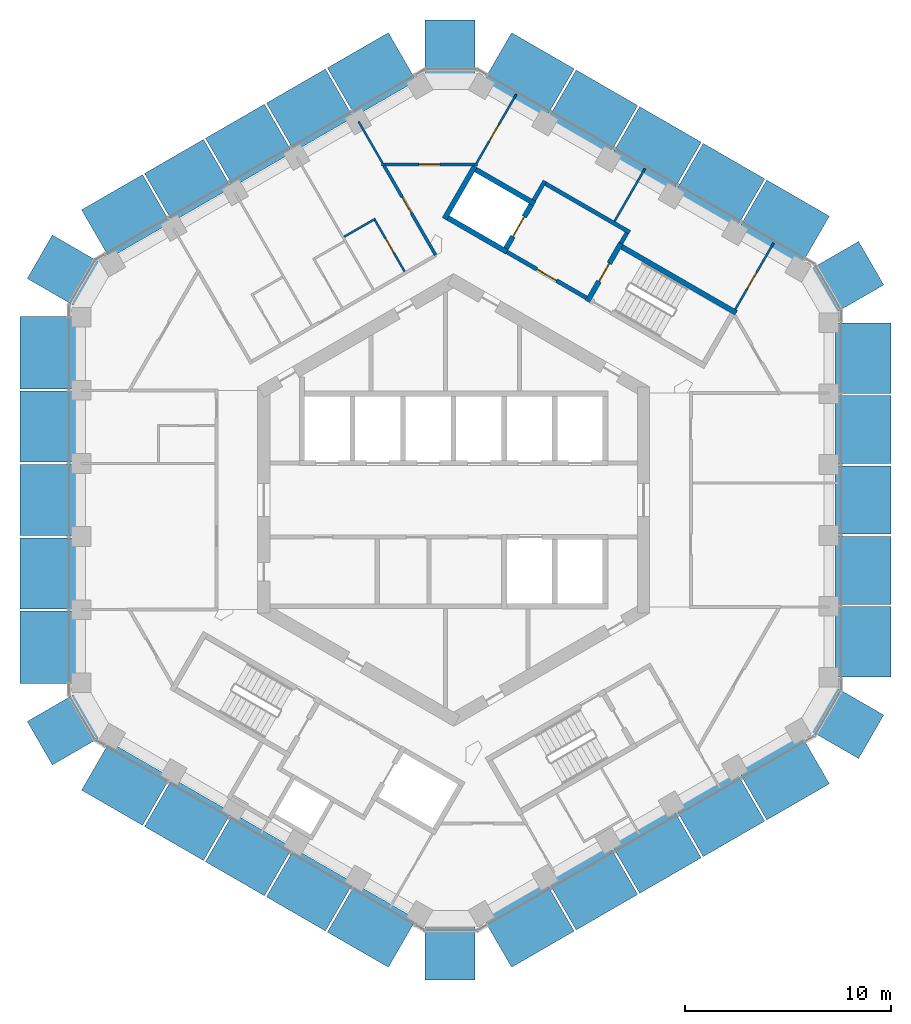
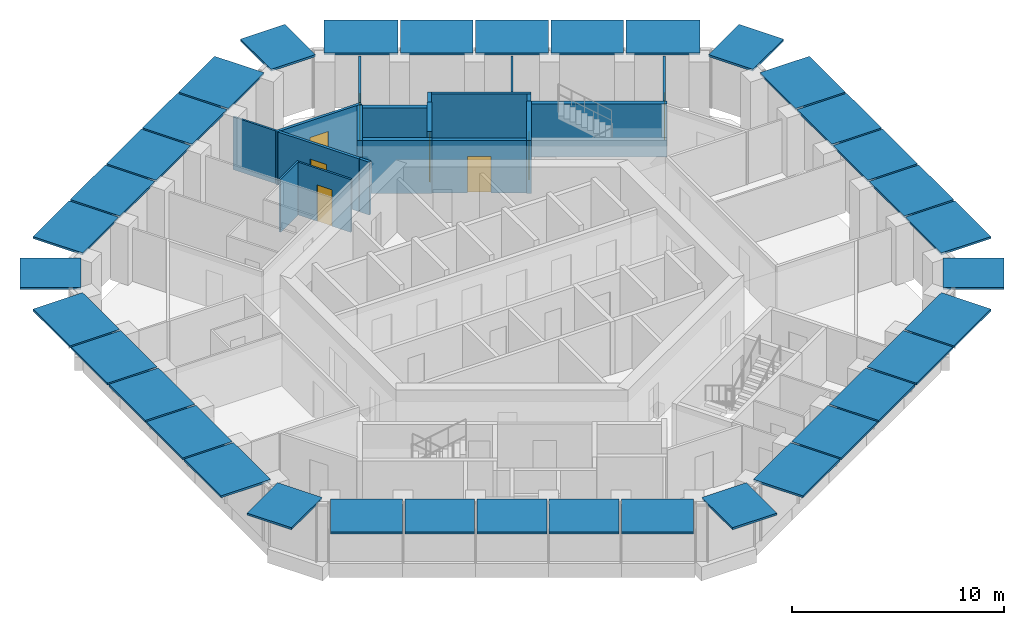
# One storey, part 16 of 18: 36 discrete accessories, 19 walls, 8 doors, 8 openings.
"""IFC4 building model written with IfcOpenShell, lengths in metres."""

from ifc_helpers import new_model, si_unit, direction, frame, frame_2d, origin, origin_2d, place, context, subcontext, project, spatial, rectangle, extrude, material, layer, layer_set, type_object, element, fill, save


model = new_model("IFC4")

# Units and contexts
model_context = context("Model", 3, precision=1e-05, world=origin(), true_north=direction((0.0, 1.0)))
body_context = subcontext(model_context, "Body", "Model", "MODEL_VIEW")
ifc_project = project(units=[si_unit("LENGTHUNIT", "METRE"), si_unit("AREAUNIT", "SQUARE_METRE"), si_unit("VOLUMEUNIT", "CUBIC_METRE"), si_unit("PLANEANGLEUNIT", "RADIAN"), si_unit("MASSUNIT", "GRAM", prefix="KILO")], contexts=[model_context])

# Site, building, storey
site_placement = place(None, origin())
site = spatial("IfcSite", under=ifc_project, at=site_placement, CompositionType="ELEMENT")
building_placement = place(site_placement, origin())
building = spatial("IfcBuilding", under=site, at=building_placement, Name="Ayvan Gate Tower", CompositionType="ELEMENT")
storey_placement = place(building_placement, frame((0.0, 0.0, 159.5)))
storey = spatial("IfcBuildingStorey", under=building, at=storey_placement, Name="L42", CompositionType="ELEMENT", Elevation=159.5)

# Wall, opening, door
ifc_material_1 = material(Name="Plasterboard on steel stud", Category="steel")
ifc_layer_1 = layer(ifc_material_1, 0.14990234375)
ifc_layer_set_1 = layer_set([ifc_layer_1], Name="Plasterboard on steel stud")
wall_type_1 = type_object("IfcWallType", Name="WT-CORR-150", PredefinedType="PARTITIONING", material=ifc_layer_set_1)
wall_1_placement = place(storey_placement, frame((-3.4873046875, 16.267333984375, 0.0), z_axis=(0.0, 0.0, 1.0), x_axis=(1.0, 0.0, 0.0)))
wall_1 = element("IfcWall", 1, at=wall_1_placement, inside=storey, type_object=wall_type_1, Name="IW-L42-045", PredefinedType="PARTITIONING", context=body_context, shape_type="SweptSolid", body=[
    extrude(rectangle(XDim=4.640380859375, YDim=0.14990234375, at=frame_2d((2.3203125, 0.0))), origin(), (0.0, 0.0, 1.0), 3.050048828125),
])
opening_1_placement = place(wall_1_placement, frame((1.8203125, 0.0, 0.0)))
opening_1 = element("IfcOpeningElement", 2, at=opening_1_placement, cuts=wall_1, Name="Opening L42-D26", PredefinedType="OPENING", context=body_context, shape_type="SweptSolid", body=[
    extrude(rectangle(XDim=1.0, YDim=2.10009765625, at=frame_2d((0.5, 1.050048828125))), frame((0.0, 0.0849609375, 0.0), z_axis=(0.0, -1.0, 0.0), x_axis=(1.0, 0.0, 0.0)), (0.0, 0.0, 1.0), 0.169921875),
])
ifc_material_2 = material(Name="Timber door leaf", Category="wood")
door_type_1 = type_object("IfcDoorType", Name="DT-1000", OperationType="NOTDEFINED", PredefinedType="DOOR", material=ifc_material_2)
door_1_placement = place(opening_1_placement, origin())
door_1 = element("IfcDoor", 3, at=door_1_placement, inside=storey, type_object=door_type_1, Name="ID-L42-026", OperationType="SINGLE_SWING_RIGHT", OverallHeight=2.10009765625, OverallWidth=1.0, PredefinedType="DOOR", context=body_context, shape_type="SweptSolid", body=[
    extrude(rectangle(XDim=1.0, YDim=2.10009765625, at=frame_2d((0.5, 1.050048828125))), frame((0.0, 0.02490234375, 0.0), z_axis=(0.0, -1.0, 0.0), x_axis=(1.0, 0.0, 0.0)), (0.0, 0.0, 1.0), 0.050048828125),
])
fill(opening_1, door_1)

wall_2_placement = place(storey_placement, frame((-1.1669921875, 12.37841796875, 0.0), z_axis=(0.0, 0.0, 1.0), x_axis=(-0.499998454624, 0.866026296006, 0.0)))
wall_2 = element("IfcWall", 4, at=wall_2_placement, inside=storey, type_object=wall_type_1, Name="IW-L42-052", PredefinedType="PARTITIONING", context=body_context, shape_type="SweptSolid", body=[
    extrude(rectangle(XDim=4.41552734375, YDim=0.14990234375, at=frame_2d((2.207763671875, 0.0))), origin(), (0.0, 0.0, 1.0), 3.050048828125),
])
opening_2_placement = place(wall_2_placement, frame((1.7578125, 0.0, 0.0)))
opening_2 = element("IfcOpeningElement", 5, at=opening_2_placement, cuts=wall_2, Name="Opening L42-D39", PredefinedType="OPENING", context=body_context, shape_type="SweptSolid", body=[
    extrude(rectangle(XDim=0.89990234375, YDim=2.10009765625, at=frame_2d((0.449951171875, 1.050048828125))), frame((0.0, 0.0849609375, 0.0), z_axis=(0.0, -1.0, 0.0), x_axis=(1.0, 0.0, 0.0)), (0.0, 0.0, 1.0), 0.169921875),
])
door_type_2 = type_object("IfcDoorType", Name="DT-900", OperationType="NOTDEFINED", PredefinedType="DOOR", material=ifc_material_2)
door_2_placement = place(opening_2_placement, origin())
door_2 = element("IfcDoor", 6, at=door_2_placement, inside=storey, type_object=door_type_2, Name="ID-L42-039", OperationType="SINGLE_SWING_LEFT", OverallHeight=2.10009765625, OverallWidth=0.89990234375, PredefinedType="DOOR", context=body_context, shape_type="SweptSolid", body=[
    extrude(rectangle(XDim=0.89990234375, YDim=2.10009765625, at=frame_2d((0.449951171875, 1.050048828125))), frame((0.0, 0.02490234375, 0.0), z_axis=(0.0, -1.0, 0.0), x_axis=(1.0, 0.0, 0.0)), (0.0, 0.0, 1.0), 0.050048828125),
])
fill(opening_2, door_2)

# Walls
wall_3_placement = place(storey_placement, frame((-1.156982421875, 12.361083984375, 0.0), z_axis=(0.0, 0.0, 1.0), x_axis=(0.499959971872, -0.866048512801, 0.0)))
element("IfcWall", 7, at=wall_3_placement, inside=storey, type_object=wall_type_1, Name="IW-L42-053", PredefinedType="PARTITIONING", context=body_context, shape_type="SweptSolid", body=[
    extrude(rectangle(XDim=0.5634765625, YDim=0.14990234375, at=frame_2d((0.28173828125, 0.0))), origin(), (0.0, 0.0, 1.0), 3.050048828125),
])
ifc_layer_2 = layer(ifc_material_1, 0.10009765625)
ifc_layer_set_2 = layer_set([ifc_layer_2], Name="Plasterboard on steel stud")
wall_type_2 = type_object("IfcWallType", Name="WT-PART-100", PredefinedType="PARTITIONING", material=ifc_layer_set_2)
wall_4_placement = place(storey_placement, frame((-3.794189453125, 13.62890625, 0.0), z_axis=(0.0, 0.0, 1.0), x_axis=(-0.866013897511, -0.50001992892, 0.0)))
element("IfcWall", 8, at=wall_4_placement, inside=storey, type_object=wall_type_2, Name="IW-L42-040", PredefinedType="PARTITIONING", context=body_context, shape_type="SweptSolid", body=[
    extrude(rectangle(XDim=1.75244140625, YDim=0.10009765625, at=frame_2d((0.876220703125, 0.0))), origin(), (0.0, 0.0, 1.0), 3.050048828125),
])
wall_5_placement = place(storey_placement, frame((-3.44970703125, 16.332275390625, 0.0), z_axis=(0.0, 0.0, 1.0), x_axis=(-0.499968667644, 0.866043492773, 0.0)))
element("IfcWall", 9, at=wall_5_placement, inside=storey, type_object=wall_type_2, Name="IW-L42-044", PredefinedType="PARTITIONING", context=body_context, shape_type="SweptSolid", body=[
    extrude(rectangle(XDim=2.317626953125, YDim=0.10009765625, at=frame_2d((1.15869140625, 0.0))), origin(), (0.0, 0.0, 1.0), 3.050048828125),
])

# Wall, opening, door
wall_6_placement = place(storey_placement, frame((-2.375, 11.07080078125, 0.0), z_axis=(0.0, 0.0, 1.0), x_axis=(-0.500011588718, 0.866018712932, 0.0)))
wall_6 = element("IfcWall", 10, at=wall_6_placement, inside=storey, type_object=wall_type_2, Name="IW-L42-050", PredefinedType="PARTITIONING", context=body_context, shape_type="SweptSolid", body=[
    extrude(rectangle(XDim=2.875, YDim=0.10009765625, at=frame_2d((1.4375, 0.0))), origin(), (0.0, 0.0, 1.0), 3.050048828125),
])
opening_3_placement = place(wall_6_placement, frame((1.03759765625, 0.0, 0.0)))
opening_3 = element("IfcOpeningElement", 11, at=opening_3_placement, cuts=wall_6, Name="Opening L42-D40", PredefinedType="OPENING", context=body_context, shape_type="SweptSolid", body=[
    extrude(rectangle(XDim=0.800048828125, YDim=2.10009765625, at=frame_2d((0.39990234375, 1.050048828125))), frame((0.0, 0.06005859375, 0.0), z_axis=(0.0, -1.0, 0.0), x_axis=(1.0, 0.0, 0.0)), (0.0, 0.0, 1.0), 0.1201171875),
])
door_type_3 = type_object("IfcDoorType", Name="DT-800", OperationType="NOTDEFINED", PredefinedType="DOOR", material=ifc_material_2)
door_3_placement = place(opening_3_placement, origin())
door_3 = element("IfcDoor", 12, at=door_3_placement, inside=storey, type_object=door_type_3, Name="ID-L42-040", OperationType="SINGLE_SWING_RIGHT", OverallHeight=2.10009765625, OverallWidth=0.800048828125, PredefinedType="DOOR", context=body_context, shape_type="SweptSolid", body=[
    extrude(rectangle(XDim=0.800048828125, YDim=2.10009765625, at=frame_2d((0.39990234375, 1.050048828125))), frame((0.0, 0.02490234375, 0.0), z_axis=(0.0, -1.0, 0.0), x_axis=(1.0, 0.0, 0.0)), (0.0, 0.0, 1.0), 0.050048828125),
])
fill(opening_3, door_3)

wall_7_placement = place(storey_placement, frame((3.033935546875, 19.655029296875, 0.0), z_axis=(0.0, 0.0, 1.0), x_axis=(-0.500012543355, -0.866018161754, 0.0)))
wall_7 = element("IfcWall", 13, at=wall_7_placement, inside=storey, type_object=wall_type_2, Name="IW-L42-067", PredefinedType="PARTITIONING", context=body_context, shape_type="SweptSolid", body=[
    extrude(rectangle(XDim=3.8369140625, YDim=0.10009765625, at=frame_2d((1.91845703125, 0.0))), origin(), (0.0, 0.0, 1.0), 3.050048828125),
])
opening_4_placement = place(wall_7_placement, frame((1.703857421875, 0.0, 0.0)))
opening_4 = element("IfcOpeningElement", 14, at=opening_4_placement, cuts=wall_7, Name="Opening L42-D27", PredefinedType="OPENING", context=body_context, shape_type="SweptSolid", body=[
    extrude(rectangle(XDim=0.89990234375, YDim=2.10009765625, at=frame_2d((0.449951171875, 1.050048828125))), frame((0.0, 0.06005859375, 0.0), z_axis=(0.0, -1.0, 0.0), x_axis=(1.0, 0.0, 0.0)), (0.0, 0.0, 1.0), 0.1201171875),
])
door_4_placement = place(opening_4_placement, origin())
door_4 = element("IfcDoor", 15, at=door_4_placement, inside=storey, type_object=door_type_2, Name="ID-L42-027", OperationType="SINGLE_SWING_LEFT", OverallHeight=2.10009765625, OverallWidth=0.89990234375, PredefinedType="DOOR", context=body_context, shape_type="SweptSolid", body=[
    extrude(rectangle(XDim=0.89990234375, YDim=2.10009765625, at=frame_2d((0.449951171875, 1.050048828125))), frame((0.0, 0.02490234375, 0.0), z_axis=(0.0, -1.0, 0.0), x_axis=(1.0, 0.0, 0.0)), (0.0, 0.0, 1.0), 0.050048828125),
])
fill(opening_4, door_4)

# Wall
wall_8_placement = place(storey_placement, frame((7.800048828125, 13.510009765625, 0.0), z_axis=(0.0, 0.0, 1.0), x_axis=(0.499945384066, 0.866056934013, 0.0)))
element("IfcWall", 16, at=wall_8_placement, inside=storey, type_object=wall_type_2, Name="IW-L42-091", PredefinedType="PARTITIONING", context=body_context, shape_type="SweptSolid", body=[
    extrude(rectangle(XDim=2.938720703125, YDim=0.10009765625, at=frame_2d((1.46923828125, 0.0))), origin(), (0.0, 0.0, 1.0), 3.050048828125),
])

# Wall, opening, door
wall_9_placement = place(storey_placement, frame((13.647705078125, 9.23876953125, 0.0), z_axis=(0.0, 0.0, 1.0), x_axis=(0.500048687089, 0.865997292456, 0.0)))
wall_9 = element("IfcWall", 17, at=wall_9_placement, inside=storey, type_object=wall_type_2, Name="IW-L42-105", PredefinedType="PARTITIONING", context=body_context, shape_type="SweptSolid", body=[
    extrude(rectangle(XDim=3.714111328125, YDim=0.10009765625, at=frame_2d((1.85693359375, 0.0))), origin(), (0.0, 0.0, 1.0), 3.050048828125),
])
opening_5_placement = place(wall_9_placement, frame((1.17138671875, 0.0, 0.0)))
opening_5 = element("IfcOpeningElement", 18, at=opening_5_placement, cuts=wall_9, Name="Opening L42-D25", PredefinedType="OPENING", context=body_context, shape_type="SweptSolid", body=[
    extrude(rectangle(XDim=0.89990234375, YDim=2.10009765625, at=frame_2d((0.449951171875, 1.050048828125))), frame((0.0, 0.06005859375, 0.0), z_axis=(0.0, -1.0, 0.0), x_axis=(1.0, 0.0, 0.0)), (0.0, 0.0, 1.0), 0.1201171875),
])
door_5_placement = place(opening_5_placement, origin())
door_5 = element("IfcDoor", 19, at=door_5_placement, inside=storey, type_object=door_type_2, Name="ID-L42-025", OperationType="SINGLE_SWING_LEFT", OverallHeight=2.10009765625, OverallWidth=0.89990234375, PredefinedType="DOOR", context=body_context, shape_type="SweptSolid", body=[
    extrude(rectangle(XDim=0.89990234375, YDim=2.10009765625, at=frame_2d((0.449951171875, 1.050048828125))), frame((0.0, 0.02490234375, 0.0), z_axis=(0.0, -1.0, 0.0), x_axis=(1.0, 0.0, 0.0)), (0.0, 0.0, 1.0), 0.050048828125),
])
fill(opening_5, door_5)

# Walls
ifc_layer_3 = layer(ifc_material_1, 0.199951171875)
ifc_layer_set_3 = layer_set([ifc_layer_3], Name="Plasterboard on steel stud")
wall_type_3 = type_object("IfcWallType", Name="WT-RATED-200", PredefinedType="PARTITIONING", material=ifc_layer_set_3)
wall_10_placement = place(storey_placement, frame((3.885009765625, 14.52880859375, 0.0), z_axis=(0.0, 0.0, 1.0), x_axis=(0.499997628298, 0.866026773083, 0.0)))
element("IfcWall", 20, at=wall_10_placement, inside=storey, type_object=wall_type_3, Name="IW-L42-075", PredefinedType="PARTITIONING", context=body_context, shape_type="SweptSolid", body=[
    extrude(rectangle(XDim=1.0751953125, YDim=0.199951171875, at=frame_2d((0.53759765625, 0.0))), origin(), (0.0, 0.0, 1.0), 3.050048828125),
])
wall_11_placement = place(storey_placement, frame((4.458984375, 15.323486328125, 0.0), z_axis=(0.0, 0.0, 1.0), x_axis=(0.866016039709, -0.500016218704, 0.0)))
element("IfcWall", 21, at=wall_11_placement, inside=storey, type_object=wall_type_3, Name="IW-L42-076", PredefinedType="PARTITIONING", context=body_context, shape_type="SweptSolid", body=[
    extrude(rectangle(XDim=4.699951171875, YDim=0.199951171875, at=frame_2d((2.35009765625, 0.0))), origin(), (0.0, 0.0, 1.0), 3.050048828125),
])

# Wall, opening, door
wall_12_placement = place(storey_placement, frame((6.4345703125, 9.794921875, 0.0), z_axis=(0.0, 0.0, 1.0), x_axis=(-0.866012907634, 0.500021643343, 0.0)))
wall_12 = element("IfcWall", 22, at=wall_12_placement, inside=storey, type_object=wall_type_3, Name="IW-L42-083", PredefinedType="PARTITIONING", context=body_context, shape_type="SweptSolid", body=[
    extrude(rectangle(XDim=4.449951171875, YDim=0.199951171875, at=frame_2d((2.22509765625, 0.0))), origin(), (0.0, 0.0, 1.0), 3.050048828125),
])
opening_6_placement = place(wall_12_placement, frame((1.675048828125, 0.0, 0.0)))
opening_6 = element("IfcOpeningElement", 23, at=opening_6_placement, cuts=wall_12, Name="Opening L42-D13", PredefinedType="OPENING", context=body_context, shape_type="SweptSolid", body=[
    extrude(rectangle(XDim=1.10009765625, YDim=2.10009765625, at=frame_2d((0.550048828125, 1.050048828125))), frame((0.0, 0.10986328125, 0.0), z_axis=(0.0, -1.0, 0.0), x_axis=(1.0, 0.0, 0.0)), (0.0, 0.0, 1.0), 0.219970703125),
])
door_type_4 = type_object("IfcDoorType", Name="DT-1100", OperationType="NOTDEFINED", PredefinedType="DOOR", material=ifc_material_2)
door_6_placement = place(opening_6_placement, origin())
door_6 = element("IfcDoor", 24, at=door_6_placement, inside=storey, type_object=door_type_4, Name="ID-L42-013", OperationType="SINGLE_SWING_LEFT", OverallHeight=2.10009765625, OverallWidth=1.10009765625, PredefinedType="DOOR", context=body_context, shape_type="SweptSolid", body=[
    extrude(rectangle(XDim=1.10009765625, YDim=2.10009765625, at=frame_2d((0.550048828125, 1.050048828125))), frame((0.0, 0.02490234375, 0.0), z_axis=(0.0, -1.0, 0.0), x_axis=(1.0, 0.0, 0.0)), (0.0, 0.0, 1.0), 0.050048828125),
])
fill(opening_6, door_6)

# Walls
wall_13_placement = place(storey_placement, frame((8.392822265625, 12.936767578125, 0.0), z_axis=(0.0, 0.0, 1.0), x_axis=(-0.500065409566, -0.86598763626, 0.0)))
element("IfcWall", 25, at=wall_13_placement, inside=storey, type_object=wall_type_3, Name="IW-L42-093", PredefinedType="PARTITIONING", context=body_context, shape_type="SweptSolid", body=[
    extrude(rectangle(XDim=0.5751953125, YDim=0.199951171875, at=frame_2d((0.28759765625, 0.0))), origin(), (0.0, 0.0, 1.0), 3.050048828125),
])
ifc_material_3 = material(Name="Concrete C50/60", Category="concrete")
ifc_layer_4 = layer(ifc_material_3, 0.25)
ifc_layer_set_4 = layer_set([ifc_layer_4], Name="Concrete C50/60")
wall_type_4 = type_object("IfcWallType", Name="WT-RC-250", PredefinedType="SHEAR", material=ifc_layer_set_4)
wall_14_placement = place(storey_placement, frame((-0.447998046875, 13.624267578125, 0.0), z_axis=(0.0, 0.0, 1.0), x_axis=(0.500037662692, 0.866003658127, 0.0)))
element("IfcWall", 26, at=wall_14_placement, inside=storey, type_object=wall_type_4, Name="IW-L42-058", PredefinedType="SHEAR", context=body_context, shape_type="SweptSolid", body=[
    extrude(rectangle(XDim=2.949951171875, YDim=0.25, at=frame_2d((1.47509765625, 0.0))), origin(), (0.0, 0.0, 1.0), 3.050048828125),
])
for number, where, z_axis, x_axis, name in (
    (27, (1.072998046875, 16.00830078125, 0.0), (0.0, 0.0, 1.0), (0.866040211805, -0.499974350878, 0.0), "IW-L42-060"),
    (28, (2.580810546875, 12.02001953125, 0.0), (0.0, 0.0, 1.0), (-0.866040211805, 0.499974350878, 0.0), "IW-L42-065"),
):
    element("IfcWall", number, at=place(storey_placement, frame(where, z_axis=z_axis, x_axis=x_axis)), inside=storey, type_object=wall_type_4, Name=name, PredefinedType="SHEAR", context=body_context, shape_type="SweptSolid", body=[
        extrude(rectangle(XDim=3.300048828125, YDim=0.25, at=frame_2d((1.64990234375, 0.0))), origin(), (0.0, 0.0, 1.0), 3.050048828125),
    ])

# Wall, opening, door
wall_15_placement = place(storey_placement, frame((2.534912109375, 12.19091796875, 0.0), z_axis=(0.0, 0.0, 1.0), x_axis=(0.500061746146, 0.865989751695, 0.0)))
wall_15 = element("IfcWall", 29, at=wall_15_placement, inside=storey, type_object=wall_type_4, Name="IW-L42-066", PredefinedType="SHEAR", context=body_context, shape_type="SweptSolid", body=[
    extrude(rectangle(XDim=2.449951171875, YDim=0.25, at=frame_2d((1.22509765625, 0.0))), origin(), (0.0, 0.0, 1.0), 3.39990234375),
])
opening_7_placement = place(wall_15_placement, frame((0.675048828125, 0.0, 0.0)))
opening_7 = element("IfcOpeningElement", 30, at=opening_7_placement, cuts=wall_15, Name="Opening L42-LD-FF1", PredefinedType="OPENING", context=body_context, shape_type="SweptSolid", body=[
    extrude(rectangle(XDim=1.10009765625, YDim=2.10009765625, at=frame_2d((0.550048828125, 1.050048828125))), frame((0.0, 0.135009765625, 0.0), z_axis=(0.0, -1.0, 0.0), x_axis=(1.0, 0.0, 0.0)), (0.0, 0.0, 1.0), 0.27001953125),
])
ifc_material_4 = material(Name="Stainless steel landing door", Category="steel")
door_type_5 = type_object("IfcDoorType", Name="DT-LANDING-1100", OperationType="SLIDING_TO_LEFT", PredefinedType="DOOR", material=ifc_material_4)
door_7_placement = place(opening_7_placement, origin())
door_7 = element("IfcDoor", 31, at=door_7_placement, inside=storey, type_object=door_type_5, Name="ID-L42-014", OperationType="SLIDING_TO_LEFT", OverallHeight=2.10009765625, OverallWidth=1.10009765625, PredefinedType="DOOR", context=body_context, shape_type="SweptSolid", body=[
    extrude(rectangle(XDim=1.10009765625, YDim=2.10009765625, at=frame_2d((0.550048828125, 1.050048828125))), frame((0.0, 0.02490234375, 0.0), z_axis=(0.0, -1.0, 0.0), x_axis=(1.0, 0.0, 0.0)), (0.0, 0.0, 1.0), 0.050048828125),
])
fill(opening_7, door_7)

wall_16_placement = place(storey_placement, frame((6.480224609375, 9.624267578125, 0.0), z_axis=(0.0, 0.0, 1.0), x_axis=(0.500017246033, 0.866015446554, 0.0)))
wall_16 = element("IfcWall", 32, at=wall_16_placement, inside=storey, type_object=wall_type_4, Name="IW-L42-084", PredefinedType="SHEAR", context=body_context, shape_type="SweptSolid", body=[
    extrude(rectangle(XDim=3.25, YDim=0.25, at=frame_2d((1.625, 0.0))), origin(), (0.0, 0.0, 1.0), 3.050048828125),
])
opening_8_placement = place(wall_16_placement, frame((1.125, 0.0, 0.0)))
opening_8 = element("IfcOpeningElement", 33, at=opening_8_placement, cuts=wall_16, Name="Opening L42-D12", PredefinedType="OPENING", context=body_context, shape_type="SweptSolid", body=[
    extrude(rectangle(XDim=1.0, YDim=2.10009765625, at=frame_2d((0.5, 1.050048828125))), frame((0.0, 0.135009765625, 0.0), z_axis=(0.0, -1.0, 0.0), x_axis=(1.0, 0.0, 0.0)), (0.0, 0.0, 1.0), 0.27001953125),
])
door_8_placement = place(opening_8_placement, origin())
door_8 = element("IfcDoor", 34, at=door_8_placement, inside=storey, type_object=door_type_1, Name="ID-L42-012", OperationType="SINGLE_SWING_RIGHT", OverallHeight=2.10009765625, OverallWidth=1.0, PredefinedType="DOOR", context=body_context, shape_type="SweptSolid", body=[
    extrude(rectangle(XDim=1.0, YDim=2.10009765625, at=frame_2d((0.5, 1.050048828125))), frame((0.0, 0.02490234375, 0.0), z_axis=(0.0, -1.0, 0.0), x_axis=(1.0, 0.0, 0.0)), (0.0, 0.0, 1.0), 0.050048828125),
])
fill(opening_8, door_8)

# Wall
wall_17_placement = place(storey_placement, frame((8.151123046875, 12.26806640625, 0.0), z_axis=(0.0, 0.0, 1.0), x_axis=(0.866025499775, -0.499999833739, 0.0)))
element("IfcWall", 35, at=wall_17_placement, inside=storey, type_object=wall_type_4, Name="IW-L42-092", PredefinedType="SHEAR", context=body_context, shape_type="SweptSolid", body=[
    extrude(rectangle(XDim=6.39990234375, YDim=0.25, at=frame_2d((3.199951171875, 0.0))), origin(), (0.0, 0.0, 1.0), 3.050048828125),
])

# Discrete accessories
ifc_material_5 = material(Name="Stainless steel 316", Category="steel")
ifc_layer_5 = layer(ifc_material_5, 0.1201171875)
ifc_layer_set_5 = layer_set([ifc_layer_5], Name="Stainless steel 316")
discrete_accessory_type = type_object("IfcDiscreteAccessoryType", Name="Fin carrier bracket", PredefinedType="BRACKET", material=ifc_layer_set_5)
discrete_accessory_1_placement = place(storey_placement, frame((-19.661376953125, -7.139404296875, 3.280029296875), z_axis=(0.0, 0.0, 1.0), x_axis=(0.0, -1.0, 0.0)))
element("IfcDiscreteAccessory", 36, at=discrete_accessory_1_placement, inside=storey, type_object=discrete_accessory_type, Name="Fin carrier 103", PredefinedType="BRACKET", context=body_context, shape_type="SweptSolid", body=[
    extrude(rectangle(XDim=3.50390625, YDim=2.70556640625, at=origin_2d()), origin(), (0.0, 0.0, 1.0), 0.1201171875),
])
for number, where, z_axis, x_axis, name in (
    (37, (-19.661376953125, -3.55517578125, 3.280029296875), (0.0, 0.0, 1.0), (0.0, -1.0, 0.0), "Fin carrier 105"),
    (38, (-19.661376953125, 0.0, 3.280029296875), (0.0, 0.0, 1.0), (0.0, -1.0, 0.0), "Fin carrier 109"),
    (39, (-19.661376953125, 3.554931640625, 3.280029296875), (0.0, 0.0, 1.0), (0.0, -1.0, 0.0), "Fin carrier 113"),
):
    element("IfcDiscreteAccessory", number, at=place(storey_placement, frame(where, z_axis=z_axis, x_axis=x_axis)), inside=storey, type_object=discrete_accessory_type, Name=name, PredefinedType="BRACKET", context=body_context, shape_type="SweptSolid", body=[
        extrude(rectangle(XDim=3.445068359375, YDim=2.70556640625, at=origin_2d()), origin(), (0.0, 0.0, 1.0), 0.1201171875),
    ])
discrete_accessory_2_placement = place(storey_placement, frame((-19.661376953125, 7.139404296875, 3.280029296875), z_axis=(0.0, 0.0, 1.0), x_axis=(0.0, -1.0, 0.0)))
element("IfcDiscreteAccessory", 40, at=discrete_accessory_2_placement, inside=storey, type_object=discrete_accessory_type, Name="Fin carrier 117", PredefinedType="BRACKET", context=body_context, shape_type="SweptSolid", body=[
    extrude(rectangle(XDim=3.50390625, YDim=2.70556640625, at=origin_2d()), origin(), (0.0, 0.0, 1.0), 0.1201171875),
])
for number, where, z_axis, x_axis, name in (
    (41, (-18.802978515625, -11.0615234375, 3.280029296875), (0.0, 0.0, 1.0), (0.5, -0.866025403784, 0.0), "Fin carrier 126"),
    (42, (-18.802978515625, 11.0615234375, 3.280029296875), (0.0, 0.0, 1.0), (-0.5, -0.866025403784, 0.0), "Fin carrier 129"),
):
    element("IfcDiscreteAccessory", number, at=place(storey_placement, frame(where, z_axis=z_axis, x_axis=x_axis)), inside=storey, type_object=discrete_accessory_type, Name=name, PredefinedType="BRACKET", context=body_context, shape_type="SweptSolid", body=[
        extrude(rectangle(XDim=2.4345703125, YDim=2.89111328125, at=origin_2d()), origin(), (0.0, 0.0, 1.0), 0.1201171875),
    ])
discrete_accessory_3_placement = place(storey_placement, frame((-15.875732421875, -13.74267578125, 3.280029296875), z_axis=(0.0, 0.0, 1.0), x_axis=(0.866025403784, -0.5, 0.0)))
element("IfcDiscreteAccessory", 43, at=discrete_accessory_3_placement, inside=storey, type_object=discrete_accessory_type, Name="Fin carrier 219", PredefinedType="BRACKET", context=body_context, shape_type="SweptSolid", body=[
    extrude(rectangle(XDim=3.410888671875, YDim=2.70556640625, at=origin_2d()), origin(), (0.0, 0.0, 1.0), 0.1201171875),
])
discrete_accessory_4_placement = place(storey_placement, frame((-15.875732421875, 13.74267578125, 3.280029296875), z_axis=(0.0, 0.0, 1.0), x_axis=(-0.866025403784, -0.5, 0.0)))
element("IfcDiscreteAccessory", 44, at=discrete_accessory_4_placement, inside=storey, type_object=discrete_accessory_type, Name="Fin carrier 222", PredefinedType="BRACKET", context=body_context, shape_type="SweptSolid", body=[
    extrude(rectangle(XDim=3.4111328125, YDim=2.70556640625, at=origin_2d()), origin(), (0.0, 0.0, 1.0), 0.1201171875),
])
for number, where, z_axis, x_axis, name in (
    (45, (-12.874267578125, -15.4755859375, 3.280029296875), (0.0, 0.0, 1.0), (0.866025403784, -0.5, 0.0), "Fin carrier 282"),
    (46, (-12.8740234375, 15.4755859375, 3.280029296875), (0.0, 0.0, 1.0), (-0.866025403784, -0.5, 0.0), "Fin carrier 285"),
):
    element("IfcDiscreteAccessory", number, at=place(storey_placement, frame(where, z_axis=z_axis, x_axis=x_axis)), inside=storey, type_object=discrete_accessory_type, Name=name, PredefinedType="BRACKET", context=body_context, shape_type="SweptSolid", body=[
        extrude(rectangle(XDim=3.301025390625, YDim=2.70556640625, at=origin_2d()), origin(), (0.0, 0.0, 1.0), 0.1201171875),
    ])
for number, where, z_axis, x_axis, name in (
    (47, (-9.919677734375, -17.181396484375, 3.280029296875), (0.0, 0.0, 1.0), (0.866025403784, -0.5, 0.0), "Fin carrier 347"),
    (48, (-9.919677734375, 17.181396484375, 3.280029296875), (0.0, 0.0, 1.0), (-0.866025403784, -0.5, 0.0), "Fin carrier 351"),
):
    element("IfcDiscreteAccessory", number, at=place(storey_placement, frame(where, z_axis=z_axis, x_axis=x_axis)), inside=storey, type_object=discrete_accessory_type, Name=name, PredefinedType="BRACKET", context=body_context, shape_type="SweptSolid", body=[
        extrude(rectangle(XDim=3.302001953125, YDim=2.70556640625, at=origin_2d()), origin(), (0.0, 0.0, 1.0), 0.1201171875),
    ])
for number, where, z_axis, x_axis, name in (
    (49, (-6.96533203125, -18.88720703125, 3.280029296875), (0.0, 0.0, 1.0), (0.866025403784, -0.5, 0.0), "Fin carrier 410"),
    (50, (-6.965087890625, 18.88720703125, 3.280029296875), (0.0, 0.0, 1.0), (-0.866025403784, -0.5, 0.0), "Fin carrier 415"),
):
    element("IfcDiscreteAccessory", number, at=place(storey_placement, frame(where, z_axis=z_axis, x_axis=x_axis)), inside=storey, type_object=discrete_accessory_type, Name=name, PredefinedType="BRACKET", context=body_context, shape_type="SweptSolid", body=[
        extrude(rectangle(XDim=3.301025390625, YDim=2.70556640625, at=origin_2d()), origin(), (0.0, 0.0, 1.0), 0.1201171875),
    ])
discrete_accessory_5_placement = place(storey_placement, frame((-3.963623046875, -20.6201171875, 3.280029296875), z_axis=(0.0, 0.0, 1.0), x_axis=(0.866025403784, -0.5, 0.0)))
element("IfcDiscreteAccessory", 51, at=discrete_accessory_5_placement, inside=storey, type_object=discrete_accessory_type, Name="Fin carrier 469", PredefinedType="BRACKET", context=body_context, shape_type="SweptSolid", body=[
    extrude(rectangle(XDim=3.4111328125, YDim=2.70556640625, at=origin_2d()), origin(), (0.0, 0.0, 1.0), 0.1201171875),
])
discrete_accessory_6_placement = place(storey_placement, frame((-3.963623046875, 20.6201171875, 3.280029296875), z_axis=(0.0, 0.0, 1.0), x_axis=(-0.866025403784, -0.5, 0.0)))
element("IfcDiscreteAccessory", 52, at=discrete_accessory_6_placement, inside=storey, type_object=discrete_accessory_type, Name="Fin carrier 473", PredefinedType="BRACKET", context=body_context, shape_type="SweptSolid", body=[
    extrude(rectangle(XDim=3.410888671875, YDim=2.70556640625, at=origin_2d()), origin(), (0.0, 0.0, 1.0), 0.1201171875),
])
for number, where, z_axis, x_axis, name in (
    (53, (-0.177978515625, -21.814697265625, 3.280029296875), (0.0, 0.0, 1.0), (1.0, 0.0, 0.0), "Fin carrier 530"),
    (54, (-0.177978515625, 21.814697265625, 3.280029296875), (0.0, 0.0, 1.0), (-1.0, 0.0, 0.0), "Fin carrier 536"),
):
    element("IfcDiscreteAccessory", number, at=place(storey_placement, frame(where, z_axis=z_axis, x_axis=x_axis)), inside=storey, type_object=discrete_accessory_type, Name=name, PredefinedType="BRACKET", context=body_context, shape_type="SweptSolid", body=[
        extrude(rectangle(XDim=2.4345703125, YDim=2.89111328125, at=origin_2d()), origin(), (0.0, 0.0, 1.0), 0.1201171875),
    ])
for number, where, z_axis, x_axis, name in (
    (55, (3.647705078125, -20.596923828125, 3.280029296875), (0.0, 0.0, 1.0), (0.866025403784, 0.5, 0.0), "Fin carrier 573"),
    (56, (3.647705078125, 20.596923828125, 3.280029296875), (0.0, 0.0, 1.0), (-0.866025403784, 0.5, 0.0), "Fin carrier 580"),
):
    element("IfcDiscreteAccessory", number, at=place(storey_placement, frame(where, z_axis=z_axis, x_axis=x_axis)), inside=storey, type_object=discrete_accessory_type, Name=name, PredefinedType="BRACKET", context=body_context, shape_type="SweptSolid", body=[
        extrude(rectangle(XDim=3.50390625, YDim=2.70556640625, at=origin_2d()), origin(), (0.0, 0.0, 1.0), 0.1201171875),
    ])
for number, where, z_axis, x_axis, name in (
    (57, (6.751953125, -18.8046875, 3.280029296875), (0.0, 0.0, 1.0), (0.866025403784, 0.5, 0.0), "Fin carrier 624"),
    (58, (6.751953125, 18.8046875, 3.280029296875), (0.0, 0.0, 1.0), (-0.866025403784, 0.5, 0.0), "Fin carrier 637"),
    (59, (9.830810546875, -17.027099609375, 3.280029296875), (0.0, 0.0, 1.0), (0.866025403784, 0.5, 0.0), "Fin carrier 697"),
    (60, (9.83056640625, 17.02734375, 3.280029296875), (0.0, 0.0, 1.0), (-0.866025403784, 0.5, 0.0), "Fin carrier 699"),
    (61, (12.909423828125, -15.249755859375, 3.280029296875), (0.0, 0.0, 1.0), (0.866025403784, 0.5, 0.0), "Fin carrier 750"),
    (62, (12.909423828125, 15.249755859375, 3.280029296875), (0.0, 0.0, 1.0), (-0.866025403784, 0.5, 0.0), "Fin carrier 756"),
):
    element("IfcDiscreteAccessory", number, at=place(storey_placement, frame(where, z_axis=z_axis, x_axis=x_axis)), inside=storey, type_object=discrete_accessory_type, Name=name, PredefinedType="BRACKET", context=body_context, shape_type="SweptSolid", body=[
        extrude(rectangle(XDim=3.445068359375, YDim=2.70556640625, at=origin_2d()), origin(), (0.0, 0.0, 1.0), 0.1201171875),
    ])
for number, where, z_axis, x_axis, name in (
    (63, (16.013671875, -13.45751953125, 3.280029296875), (0.0, 0.0, 1.0), (0.866025403784, 0.5, 0.0), "Fin carrier 792"),
    (64, (16.013671875, 13.45751953125, 3.280029296875), (0.0, 0.0, 1.0), (-0.866025403784, 0.5, 0.0), "Fin carrier 815"),
):
    element("IfcDiscreteAccessory", number, at=place(storey_placement, frame(where, z_axis=z_axis, x_axis=x_axis)), inside=storey, type_object=discrete_accessory_type, Name=name, PredefinedType="BRACKET", context=body_context, shape_type="SweptSolid", body=[
        extrude(rectangle(XDim=3.50390625, YDim=2.70556640625, at=origin_2d()), origin(), (0.0, 0.0, 1.0), 0.1201171875),
    ])
for number, where, z_axis, x_axis, name in (
    (65, (18.98095703125, -10.753173828125, 3.280029296875), (0.0, 0.0, 1.0), (0.5, 0.866025403784, 0.0), "Fin carrier 895"),
    (66, (18.98095703125, 10.753173828125, 3.280029296875), (0.0, 0.0, 1.0), (-0.5, 0.866025403784, 0.0), "Fin carrier 905"),
):
    element("IfcDiscreteAccessory", number, at=place(storey_placement, frame(where, z_axis=z_axis, x_axis=x_axis)), inside=storey, type_object=discrete_accessory_type, Name=name, PredefinedType="BRACKET", context=body_context, shape_type="SweptSolid", body=[
        extrude(rectangle(XDim=2.4345703125, YDim=2.89111328125, at=origin_2d()), origin(), (0.0, 0.0, 1.0), 0.1201171875),
    ])
discrete_accessory_7_placement = place(storey_placement, frame((19.83935546875, -6.877685546875, 3.280029296875), z_axis=(0.0, 0.0, 1.0), x_axis=(0.0, 1.0, 0.0)))
element("IfcDiscreteAccessory", 67, at=discrete_accessory_7_placement, inside=storey, type_object=discrete_accessory_type, Name="Fin carrier 915", PredefinedType="BRACKET", context=body_context, shape_type="SweptSolid", body=[
    extrude(rectangle(XDim=3.410888671875, YDim=2.70556640625, at=origin_2d()), origin(), (0.0, 0.0, 1.0), 0.1201171875),
])
discrete_accessory_8_placement = place(storey_placement, frame((19.83935546875, -3.41162109375, 3.280029296875), z_axis=(0.0, 0.0, 1.0), x_axis=(0.0, 1.0, 0.0)))
element("IfcDiscreteAccessory", 68, at=discrete_accessory_8_placement, inside=storey, type_object=discrete_accessory_type, Name="Fin carrier 922", PredefinedType="BRACKET", context=body_context, shape_type="SweptSolid", body=[
    extrude(rectangle(XDim=3.301025390625, YDim=2.70556640625, at=origin_2d()), origin(), (0.0, 0.0, 1.0), 0.1201171875),
])
discrete_accessory_9_placement = place(storey_placement, frame((19.83935546875, 0.0, 3.280029296875), z_axis=(0.0, 0.0, 1.0), x_axis=(0.0, 1.0, 0.0)))
element("IfcDiscreteAccessory", 69, at=discrete_accessory_9_placement, inside=storey, type_object=discrete_accessory_type, Name="Fin carrier 929", PredefinedType="BRACKET", context=body_context, shape_type="SweptSolid", body=[
    extrude(rectangle(XDim=3.302001953125, YDim=2.70556640625, at=origin_2d()), origin(), (0.0, 0.0, 1.0), 0.1201171875),
])
discrete_accessory_10_placement = place(storey_placement, frame((19.83935546875, 3.411376953125, 3.280029296875), z_axis=(0.0, 0.0, 1.0), x_axis=(0.0, 1.0, 0.0)))
element("IfcDiscreteAccessory", 70, at=discrete_accessory_10_placement, inside=storey, type_object=discrete_accessory_type, Name="Fin carrier 940", PredefinedType="BRACKET", context=body_context, shape_type="SweptSolid", body=[
    extrude(rectangle(XDim=3.301025390625, YDim=2.70556640625, at=origin_2d()), origin(), (0.0, 0.0, 1.0), 0.1201171875),
])
discrete_accessory_11_placement = place(storey_placement, frame((19.83935546875, 6.87744140625, 3.280029296875), z_axis=(0.0, 0.0, 1.0), x_axis=(0.0, 1.0, 0.0)))
element("IfcDiscreteAccessory", 71, at=discrete_accessory_11_placement, inside=storey, type_object=discrete_accessory_type, Name="Fin carrier 948", PredefinedType="BRACKET", context=body_context, shape_type="SweptSolid", body=[
    extrude(rectangle(XDim=3.4111328125, YDim=2.70556640625, at=origin_2d()), origin(), (0.0, 0.0, 1.0), 0.1201171875),
])

save(model, "model.ifc")
